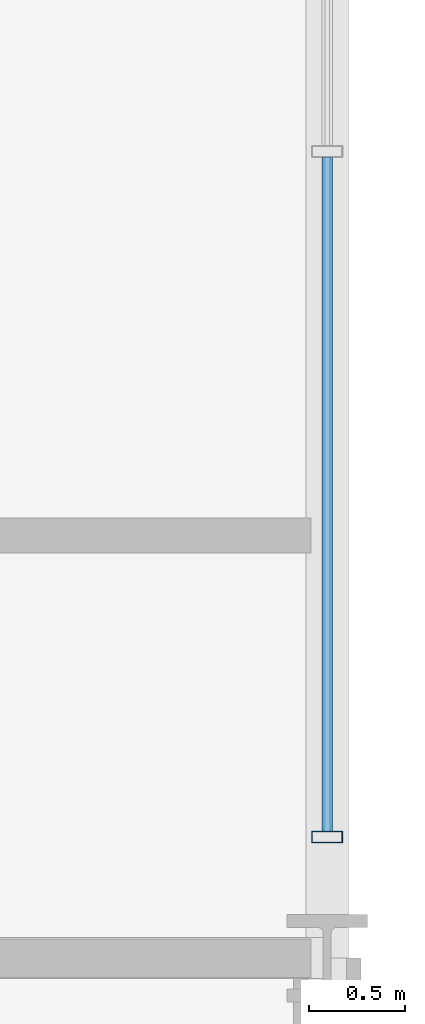
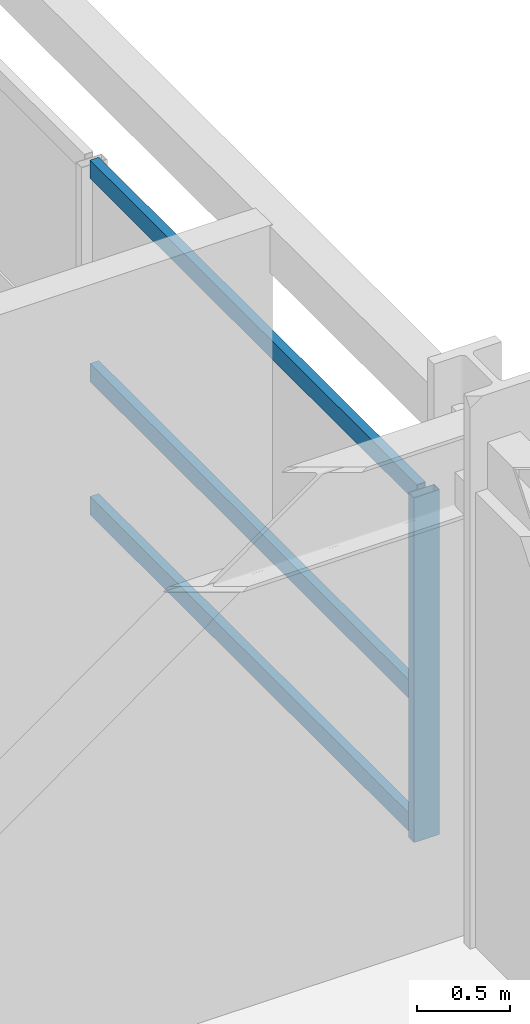
# One storey, part 14 of 26: 4 members, 1 element without a shape of its own.
"""IFC4 building model written with IfcOpenShell, lengths in metres."""

from ifc_helpers import new_model, si_unit, direction, frame, origin, origin_2d, place, context, subcontext, project, spatial, hollow_rectangle, extrude, material, material_profile, profile_set, type_object, element, aggregate, save


model = new_model("IFC4")

# Units and contexts
model_context = context("Model", 3, precision=1e-05, world=origin(), true_north=direction((0.0, 1.0)))
body_context = subcontext(model_context, "Body", "Model", "MODEL_VIEW")
ifc_project = project(units=[si_unit("LENGTHUNIT", "METRE"), si_unit("AREAUNIT", "SQUARE_METRE"), si_unit("VOLUMEUNIT", "CUBIC_METRE"), si_unit("PLANEANGLEUNIT", "RADIAN"), si_unit("MASSUNIT", "GRAM", prefix="KILO")], contexts=[model_context])

# Site, building, storey
site_placement = place(None, origin())
site = spatial("IfcSite", under=ifc_project, at=site_placement, CompositionType="ELEMENT")
building_placement = place(site_placement, origin())
building = spatial("IfcBuilding", under=site, at=building_placement, Name="Kaldorvane Square Convention Centre", CompositionType="ELEMENT")
storey_placement = place(building_placement, frame((0.0, 0.0, 42.0)))
storey = spatial("IfcBuildingStorey", under=building, at=storey_placement, Name="L09", CompositionType="ELEMENT", Elevation=42.0)

# Curtain wall, members
ifc_material = material(Name="Anodized Aluminum and Low-E Insulated Glazing", Category="aluminium")
curtain_wall_type = type_object("IfcCurtainWallType", Name="CW-UNI-HTL-A", PredefinedType="USERDEFINED", material=ifc_material)
curtain_wall_placement = place(storey_placement, origin())
curtain_wall = element("IfcCurtainWall", 1, at=curtain_wall_placement, inside=storey, type_object=curtain_wall_type, Name="Curtain Wall CW-10 (L09)", ObjectType="UNITISED GLAZING", PredefinedType="USERDEFINED")
ifc_material_profile_1 = material_profile(ifc_material, hollow_rectangle(XDim=0.05999755859375, YDim=0.160003662109375, WallThickness=0.003204345703125, at=origin_2d()), Name="CWM-160X60")
ifc_profile_set_1 = profile_set([ifc_material_profile_1], Name="Anodized Aluminum and Low-E Insulated Glazing")
member_type_1 = type_object("IfcMemberType", Name="CW-MUL-160", PredefinedType="MULLION", material=ifc_profile_set_1)
member_1_placement = place(storey_placement, frame((84.0, 105.6300048828125, 0.149993896484375), z_axis=(0.0, 0.0, 1.0), x_axis=(0.0, 1.0, 0.0)))
member_1 = element("IfcMember", 2, at=member_1_placement, type_object=member_type_1, Name="CW-10 mullion 1", PredefinedType="MULLION", context=body_context, shape_type="SweptSolid", body=[
    extrude(hollow_rectangle(XDim=0.05999755859375, YDim=0.160003662109375, WallThickness=0.003204345703125, at=origin_2d()), origin(), (0.0, 0.0, 1.0), 2.260009765625),
])
ifc_material_profile_2 = material_profile(ifc_material, hollow_rectangle(XDim=0.05499267578125, YDim=0.1199951171875, WallThickness=0.0030059814453125, at=origin_2d()), Name="CWT-120X55")
ifc_profile_set_2 = profile_set([ifc_material_profile_2], Name="Anodized Aluminum and Low-E Insulated Glazing")
member_type_2 = type_object("IfcMemberType", Name="CW-TRN-120", PredefinedType="USERDEFINED", material=ifc_profile_set_2)
member_2_placement = place(storey_placement, frame((84.0, 105.66000366210938, 0.1775054931640625), z_axis=(0.0, 1.0, 0.0), x_axis=(-1.0, 0.0, 0.0)))
member_2 = element("IfcMember", 3, at=member_2_placement, type_object=member_type_2, Name="CW-10 transom 1.1", ObjectType="TRANSOM", PredefinedType="USERDEFINED", context=body_context, shape_type="SweptSolid", body=[
    extrude(hollow_rectangle(XDim=0.05499267578125, YDim=0.1199951171875, WallThickness=0.0030059814453125, at=origin_2d()), origin(), (0.0, 0.0, 1.0), 3.5099945068359375),
])
member_3_placement = place(storey_placement, frame((84.0, 105.66000366210938, 1.0500030517578125), z_axis=(0.0, 1.0, 0.0), x_axis=(-1.0, 0.0, 0.0)))
member_3 = element("IfcMember", 4, at=member_3_placement, type_object=member_type_2, Name="CW-10 transom 1.2", ObjectType="TRANSOM", PredefinedType="USERDEFINED", context=body_context, shape_type="SweptSolid", body=[
    extrude(hollow_rectangle(XDim=0.05499267578125, YDim=0.1199951171875, WallThickness=0.0030059814453125, at=origin_2d()), origin(), (0.0, 0.0, 1.0), 3.5099945068359375),
])
member_4_placement = place(storey_placement, frame((84.0, 105.66000366210938, 2.38250732421875), z_axis=(0.0, 1.0, 0.0), x_axis=(-1.0, 0.0, 0.0)))
member_4 = element("IfcMember", 5, at=member_4_placement, type_object=member_type_2, Name="CW-10 transom 1.3", ObjectType="TRANSOM", PredefinedType="USERDEFINED", context=body_context, shape_type="SweptSolid", body=[
    extrude(hollow_rectangle(XDim=0.05499267578125, YDim=0.1199951171875, WallThickness=0.0030059814453125, at=origin_2d()), origin(), (0.0, 0.0, 1.0), 3.5099945068359375),
])
aggregate(curtain_wall, [member_1, member_2, member_3, member_4])

save(model, "model.ifc")
